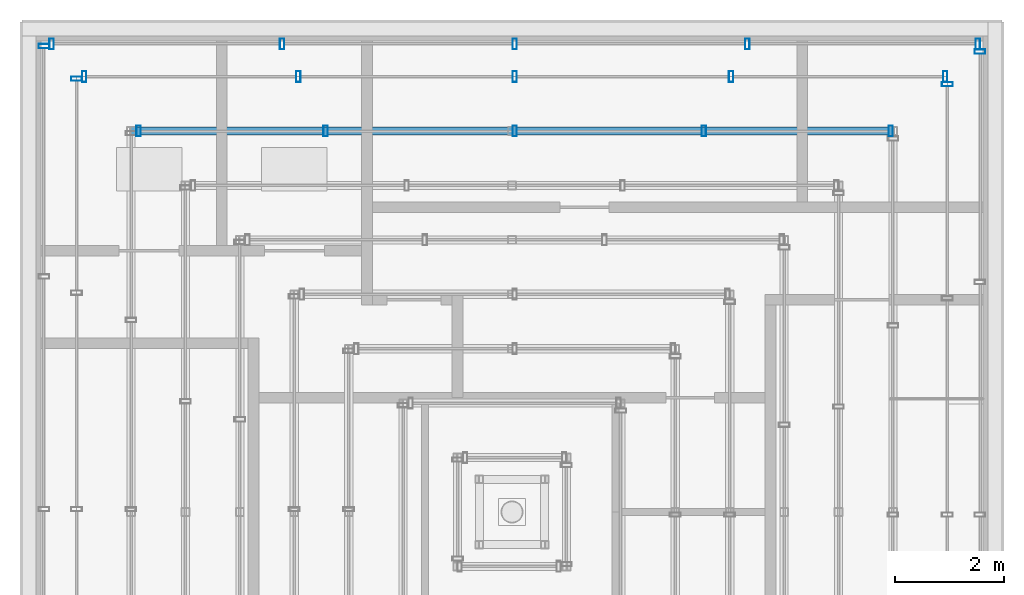
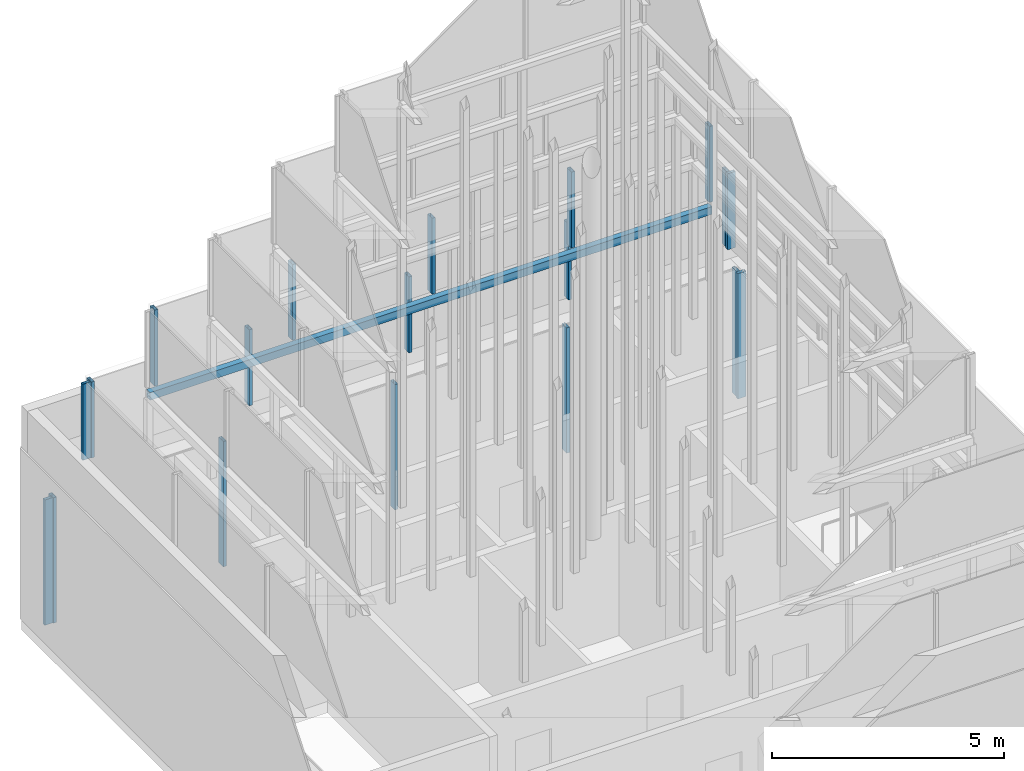
# One storey, part 16 of 24: 19 members, 1 beam, 7 elements without a shape of their own.
"""IFC4 building model written with IfcOpenShell, lengths in metres."""

from ifc_helpers import new_model, si_unit, direction, frame, origin, origin_2d, place, context, subcontext, project, spatial, hollow_rectangle, extrude, material, material_profile, profile_set, type_object, element, aggregate, save


model = new_model("IFC4")

# Units and contexts
model_context = context("Model", 3, precision=1e-05, world=origin(), true_north=direction((0.0, 1.0)))
body_context = subcontext(model_context, "Body", "Model", "MODEL_VIEW")
ifc_project = project(units=[si_unit("LENGTHUNIT", "METRE"), si_unit("AREAUNIT", "SQUARE_METRE"), si_unit("VOLUMEUNIT", "CUBIC_METRE"), si_unit("PLANEANGLEUNIT", "RADIAN"), si_unit("MASSUNIT", "GRAM", prefix="KILO")], contexts=[model_context])

# Site, building, storey
site_placement = place(None, origin())
site = spatial("IfcSite", under=ifc_project, at=site_placement, CompositionType="ELEMENT")
building_placement = place(site_placement, origin())
building = spatial("IfcBuilding", under=site, at=building_placement, Name="Altepetl Exchange Towers", CompositionType="ELEMENT")
storey_placement = place(building_placement, frame((0.0, 0.0, 279.10009765625)))
storey = spatial("IfcBuildingStorey", under=building, at=storey_placement, Name="L70 Crown plant", CompositionType="ELEMENT", Elevation=279.10009765625)

# Beam
ifc_material_1 = material(Name="Steel S355", Category="steel")
ifc_material_profile_1 = material_profile(ifc_material_1, hollow_rectangle(XDim=0.14990234375, YDim=0.199951171875, WallThickness=0.010009765625, at=origin_2d()), Name="RHS 200x150x10")
ifc_profile_set_1 = profile_set([ifc_material_profile_1], Name="Steel S355")
beam_type = type_object("IfcBeamType", Name="Crown ring beam hollow section 150x200x10", PredefinedType="BEAM", material=ifc_profile_set_1)
beam_placement = place(storey_placement, frame((56.5, 56.5, 6.39990234375), z_axis=(-1.0, 0.0, 0.0), x_axis=(0.0, -1.0, 0.0)))
element("IfcBeam", 1, at=beam_placement, inside=storey, type_object=beam_type, Name="Crown ring beam", PredefinedType="BEAM", context=body_context, shape_type="SweptSolid", body=[
    extrude(hollow_rectangle(XDim=0.14990234375, YDim=0.199951171875, WallThickness=0.010009765625, at=origin_2d()), origin(), (0.0, 0.0, 1.0), 14.0),
])

# Curtain wall, member
ifc_material_2 = material(Name="Aluminium 6063-T6 glazing", Category="aluminium")
curtain_wall_type = type_object("IfcCurtainWallType", Name="Crown glazing system", PredefinedType="NOTDEFINED", material=ifc_material_2)
curtain_wall_1_placement = place(storey_placement, origin())
curtain_wall_1 = element("IfcCurtainWall", 2, at=curtain_wall_1_placement, inside=storey, type_object=curtain_wall_type, Name="CW7 run", PredefinedType="NOTDEFINED")
ifc_material_3 = material(Name="Aluminium 6063-T6", Category="aluminium")
ifc_material_profile_2 = material_profile(ifc_material_3, hollow_rectangle(XDim=0.080078125, YDim=0.199951171875, WallThickness=0.0029296875, at=origin_2d()), Name="Mullion 80x200 hollow aluminium")
ifc_profile_set_2 = profile_set([ifc_material_profile_2], Name="Aluminium 6063-T6")
member_type = type_object("IfcMemberType", Name="Mullion 80x200 hollow aluminium", PredefinedType="MULLION", material=ifc_profile_set_2)
member_1_placement = place(storey_placement, frame((58.10009765625, 57.9599609375, 0.0), z_axis=(0.0, 0.0, 1.0), x_axis=(0.0, 1.0, 0.0)))
member_1 = element("IfcMember", 3, at=member_1_placement, type_object=member_type, Name="MU5 mullion", PredefinedType="MULLION", context=body_context, shape_type="SweptSolid", body=[
    extrude(hollow_rectangle(XDim=0.080078125, YDim=0.199951171875, WallThickness=0.0029296875, at=origin_2d()), origin(), (0.0, 0.0, 1.0), 3.2998046875),
])
aggregate(curtain_wall_1, [member_1])

# Curtain wall, members
curtain_wall_2_placement = place(storey_placement, origin())
curtain_wall_2 = element("IfcCurtainWall", 4, at=curtain_wall_2_placement, inside=storey, type_object=curtain_wall_type, Name="CW7 run", PredefinedType="NOTDEFINED")
member_2_placement = place(storey_placement, frame((58.06005859375, 58.10009765625, 0.0), z_axis=(0.0, 0.0, 1.0), x_axis=(-1.0, 0.0, 0.0)))
member_2 = element("IfcMember", 5, at=member_2_placement, type_object=member_type, Name="MU5 mullion", PredefinedType="MULLION", context=body_context, shape_type="SweptSolid", body=[
    extrude(hollow_rectangle(XDim=0.080078125, YDim=0.199951171875, WallThickness=0.0029296875, at=origin_2d()), origin(), (0.0, 0.0, 1.0), 3.2998046875),
])
member_3_placement = place(storey_placement, frame((53.824951171875, 58.10009765625, 0.0), z_axis=(0.0, 0.0, 1.0), x_axis=(-1.0, 0.0, 0.0)))
member_3 = element("IfcMember", 6, at=member_3_placement, type_object=member_type, Name="MU5 mullion", PredefinedType="MULLION", context=body_context, shape_type="SweptSolid", body=[
    extrude(hollow_rectangle(XDim=0.080078125, YDim=0.199951171875, WallThickness=0.0029296875, at=origin_2d()), origin(), (0.0, 0.0, 1.0), 3.2998046875),
])
member_4_placement = place(storey_placement, frame((49.550048828125, 58.10009765625, 0.0), z_axis=(0.0, 0.0, 1.0), x_axis=(-1.0, 0.0, 0.0)))
member_4 = element("IfcMember", 7, at=member_4_placement, type_object=member_type, Name="MU5 mullion", PredefinedType="MULLION", context=body_context, shape_type="SweptSolid", body=[
    extrude(hollow_rectangle(XDim=0.080078125, YDim=0.199951171875, WallThickness=0.0029296875, at=origin_2d()), origin(), (0.0, 0.0, 1.0), 3.2998046875),
])
member_5_placement = place(storey_placement, frame((45.27490234375, 58.10009765625, 0.0), z_axis=(0.0, 0.0, 1.0), x_axis=(-1.0, 0.0, 0.0)))
member_5 = element("IfcMember", 8, at=member_5_placement, type_object=member_type, Name="MU5 mullion", PredefinedType="MULLION", context=body_context, shape_type="SweptSolid", body=[
    extrude(hollow_rectangle(XDim=0.080078125, YDim=0.199951171875, WallThickness=0.0029296875, at=origin_2d()), origin(), (0.0, 0.0, 1.0), 3.2998046875),
])
member_6_placement = place(storey_placement, frame((41.0400390625, 58.10009765625, 0.0), z_axis=(0.0, 0.0, 1.0), x_axis=(-1.0, 0.0, 0.0)))
member_6 = element("IfcMember", 9, at=member_6_placement, type_object=member_type, Name="MU5 mullion", PredefinedType="MULLION", context=body_context, shape_type="SweptSolid", body=[
    extrude(hollow_rectangle(XDim=0.080078125, YDim=0.199951171875, WallThickness=0.0029296875, at=origin_2d()), origin(), (0.0, 0.0, 1.0), 3.2998046875),
])
aggregate(curtain_wall_2, [member_2, member_3, member_4, member_5, member_6])

# Curtain wall, member
curtain_wall_3_placement = place(storey_placement, origin())
curtain_wall_3 = element("IfcCurtainWall", 10, at=curtain_wall_3_placement, inside=storey, type_object=curtain_wall_type, Name="CW7 run", PredefinedType="NOTDEFINED")
member_7_placement = place(storey_placement, frame((40.89990234375, 58.06005859375, 0.0), z_axis=(0.0, 0.0, 1.0), x_axis=(0.0, -1.0, 0.0)))
member_7 = element("IfcMember", 11, at=member_7_placement, type_object=member_type, Name="MU5 mullion", PredefinedType="MULLION", context=body_context, shape_type="SweptSolid", body=[
    extrude(hollow_rectangle(XDim=0.080078125, YDim=0.199951171875, WallThickness=0.0029296875, at=origin_2d()), origin(), (0.0, 0.0, 1.0), 3.2998046875),
])
aggregate(curtain_wall_3, [member_7])

curtain_wall_4_placement = place(storey_placement, origin())
curtain_wall_4 = element("IfcCurtainWall", 12, at=curtain_wall_4_placement, inside=storey, type_object=curtain_wall_type, Name="CW7 run", PredefinedType="NOTDEFINED")
member_8_placement = place(storey_placement, frame((57.5, 57.360107421875, 4.5), z_axis=(0.0, 0.0, 1.0), x_axis=(0.0, 1.0, 0.0)))
member_8 = element("IfcMember", 13, at=member_8_placement, type_object=member_type, Name="MU5 mullion", PredefinedType="MULLION", context=body_context, shape_type="SweptSolid", body=[
    extrude(hollow_rectangle(XDim=0.080078125, YDim=0.199951171875, WallThickness=0.0029296875, at=origin_2d()), origin(), (0.0, 0.0, 1.0), 2.0),
])
aggregate(curtain_wall_4, [member_8])

# Curtain wall, members
curtain_wall_5_placement = place(storey_placement, origin())
curtain_wall_5 = element("IfcCurtainWall", 14, at=curtain_wall_5_placement, inside=storey, type_object=curtain_wall_type, Name="CW7 run", PredefinedType="NOTDEFINED")
member_9_placement = place(storey_placement, frame((57.4599609375, 57.5, 4.5), z_axis=(0.0, 0.0, 1.0), x_axis=(-1.0, 0.0, 0.0)))
member_9 = element("IfcMember", 15, at=member_9_placement, type_object=member_type, Name="MU5 mullion", PredefinedType="MULLION", context=body_context, shape_type="SweptSolid", body=[
    extrude(hollow_rectangle(XDim=0.080078125, YDim=0.199951171875, WallThickness=0.0029296875, at=origin_2d()), origin(), (0.0, 0.0, 1.0), 2.0),
])
member_10_placement = place(storey_placement, frame((53.52490234375, 57.5, 4.5), z_axis=(0.0, 0.0, 1.0), x_axis=(-1.0, 0.0, 0.0)))
member_10 = element("IfcMember", 16, at=member_10_placement, type_object=member_type, Name="MU5 mullion", PredefinedType="MULLION", context=body_context, shape_type="SweptSolid", body=[
    extrude(hollow_rectangle(XDim=0.080078125, YDim=0.199951171875, WallThickness=0.0029296875, at=origin_2d()), origin(), (0.0, 0.0, 1.0), 2.0),
])
member_11_placement = place(storey_placement, frame((49.550048828125, 57.5, 4.5), z_axis=(0.0, 0.0, 1.0), x_axis=(-1.0, 0.0, 0.0)))
member_11 = element("IfcMember", 17, at=member_11_placement, type_object=member_type, Name="MU5 mullion", PredefinedType="MULLION", context=body_context, shape_type="SweptSolid", body=[
    extrude(hollow_rectangle(XDim=0.080078125, YDim=0.199951171875, WallThickness=0.0029296875, at=origin_2d()), origin(), (0.0, 0.0, 1.0), 2.0),
])
member_12_placement = place(storey_placement, frame((45.574951171875, 57.5, 4.5), z_axis=(0.0, 0.0, 1.0), x_axis=(-1.0, 0.0, 0.0)))
member_12 = element("IfcMember", 18, at=member_12_placement, type_object=member_type, Name="MU5 mullion", PredefinedType="MULLION", context=body_context, shape_type="SweptSolid", body=[
    extrude(hollow_rectangle(XDim=0.080078125, YDim=0.199951171875, WallThickness=0.0029296875, at=origin_2d()), origin(), (0.0, 0.0, 1.0), 2.0),
])
member_13_placement = place(storey_placement, frame((41.639892578125, 57.5, 4.5), z_axis=(0.0, 0.0, 1.0), x_axis=(-1.0, 0.0, 0.0)))
member_13 = element("IfcMember", 19, at=member_13_placement, type_object=member_type, Name="MU5 mullion", PredefinedType="MULLION", context=body_context, shape_type="SweptSolid", body=[
    extrude(hollow_rectangle(XDim=0.080078125, YDim=0.199951171875, WallThickness=0.0029296875, at=origin_2d()), origin(), (0.0, 0.0, 1.0), 2.0),
])
aggregate(curtain_wall_5, [member_9, member_10, member_11, member_12, member_13])

# Curtain wall, member
curtain_wall_6_placement = place(storey_placement, origin())
curtain_wall_6 = element("IfcCurtainWall", 20, at=curtain_wall_6_placement, inside=storey, type_object=curtain_wall_type, Name="CW7 run", PredefinedType="NOTDEFINED")
member_14_placement = place(storey_placement, frame((41.5, 57.4599609375, 4.5), z_axis=(0.0, 0.0, 1.0), x_axis=(0.0, -1.0, 0.0)))
member_14 = element("IfcMember", 21, at=member_14_placement, type_object=member_type, Name="MU5 mullion", PredefinedType="MULLION", context=body_context, shape_type="SweptSolid", body=[
    extrude(hollow_rectangle(XDim=0.080078125, YDim=0.199951171875, WallThickness=0.0029296875, at=origin_2d()), origin(), (0.0, 0.0, 1.0), 2.0),
])
aggregate(curtain_wall_6, [member_14])

# Curtain wall, members
curtain_wall_7_placement = place(storey_placement, origin())
curtain_wall_7 = element("IfcCurtainWall", 22, at=curtain_wall_7_placement, inside=storey, type_object=curtain_wall_type, Name="CW7 run", PredefinedType="NOTDEFINED")
member_15_placement = place(storey_placement, frame((56.4599609375, 56.5, 6.64990234375), z_axis=(0.0, 0.0, 1.0), x_axis=(-1.0, 0.0, 0.0)))
member_15 = element("IfcMember", 23, at=member_15_placement, type_object=member_type, Name="MU5 mullion", PredefinedType="MULLION", context=body_context, shape_type="SweptSolid", body=[
    extrude(hollow_rectangle(XDim=0.080078125, YDim=0.199951171875, WallThickness=0.0029296875, at=origin_2d()), origin(), (0.0, 0.0, 1.0), 2.0),
])
member_16_placement = place(storey_placement, frame((53.02490234375, 56.5, 6.64990234375), z_axis=(0.0, 0.0, 1.0), x_axis=(-1.0, 0.0, 0.0)))
member_16 = element("IfcMember", 24, at=member_16_placement, type_object=member_type, Name="MU5 mullion", PredefinedType="MULLION", context=body_context, shape_type="SweptSolid", body=[
    extrude(hollow_rectangle(XDim=0.080078125, YDim=0.199951171875, WallThickness=0.0029296875, at=origin_2d()), origin(), (0.0, 0.0, 1.0), 2.0),
])
member_17_placement = place(storey_placement, frame((49.550048828125, 56.5, 6.64990234375), z_axis=(0.0, 0.0, 1.0), x_axis=(-1.0, 0.0, 0.0)))
member_17 = element("IfcMember", 25, at=member_17_placement, type_object=member_type, Name="MU5 mullion", PredefinedType="MULLION", context=body_context, shape_type="SweptSolid", body=[
    extrude(hollow_rectangle(XDim=0.080078125, YDim=0.199951171875, WallThickness=0.0029296875, at=origin_2d()), origin(), (0.0, 0.0, 1.0), 2.0),
])
member_18_placement = place(storey_placement, frame((46.074951171875, 56.5, 6.64990234375), z_axis=(0.0, 0.0, 1.0), x_axis=(-1.0, 0.0, 0.0)))
member_18 = element("IfcMember", 26, at=member_18_placement, type_object=member_type, Name="MU5 mullion", PredefinedType="MULLION", context=body_context, shape_type="SweptSolid", body=[
    extrude(hollow_rectangle(XDim=0.080078125, YDim=0.199951171875, WallThickness=0.0029296875, at=origin_2d()), origin(), (0.0, 0.0, 1.0), 2.0),
])
member_19_placement = place(storey_placement, frame((42.639892578125, 56.5, 6.64990234375), z_axis=(0.0, 0.0, 1.0), x_axis=(-1.0, 0.0, 0.0)))
member_19 = element("IfcMember", 27, at=member_19_placement, type_object=member_type, Name="MU5 mullion", PredefinedType="MULLION", context=body_context, shape_type="SweptSolid", body=[
    extrude(hollow_rectangle(XDim=0.080078125, YDim=0.199951171875, WallThickness=0.0029296875, at=origin_2d()), origin(), (0.0, 0.0, 1.0), 2.0),
])
aggregate(curtain_wall_7, [member_15, member_16, member_17, member_18, member_19])

save(model, "model.ifc")
